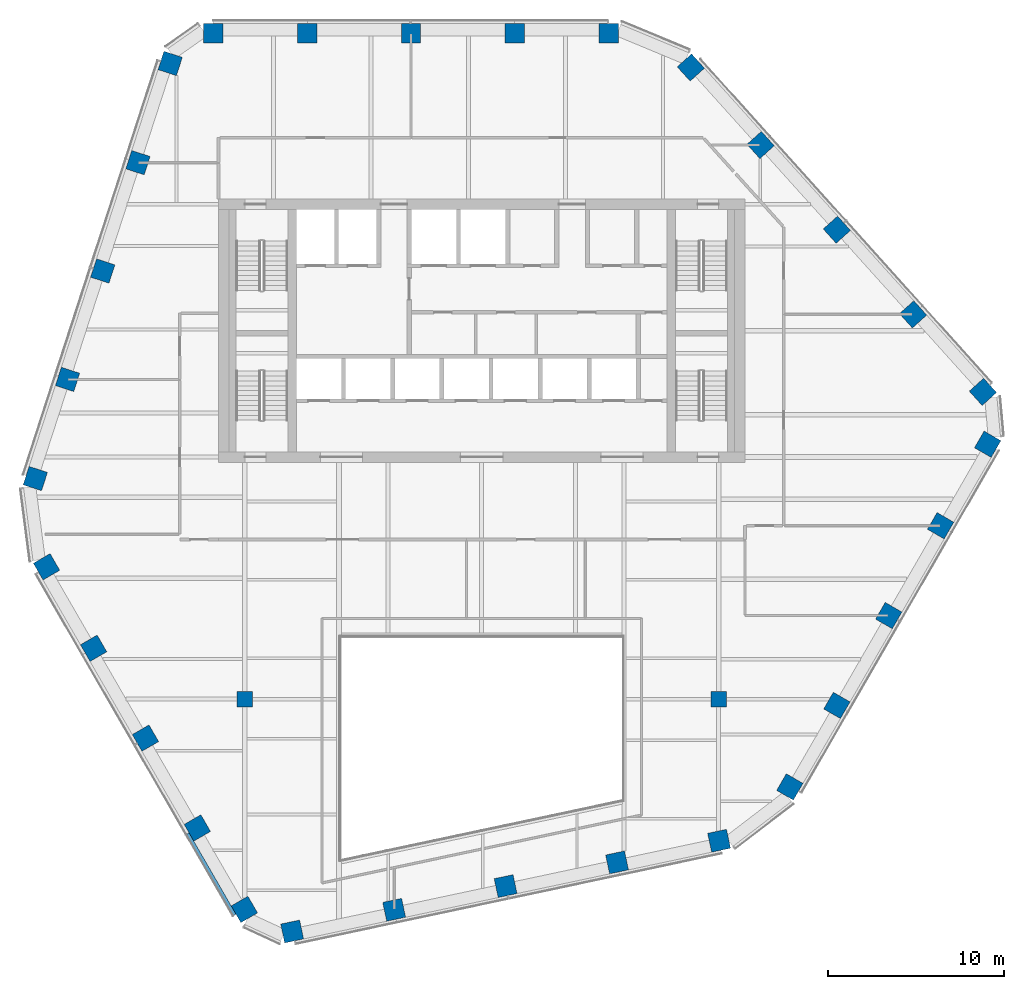
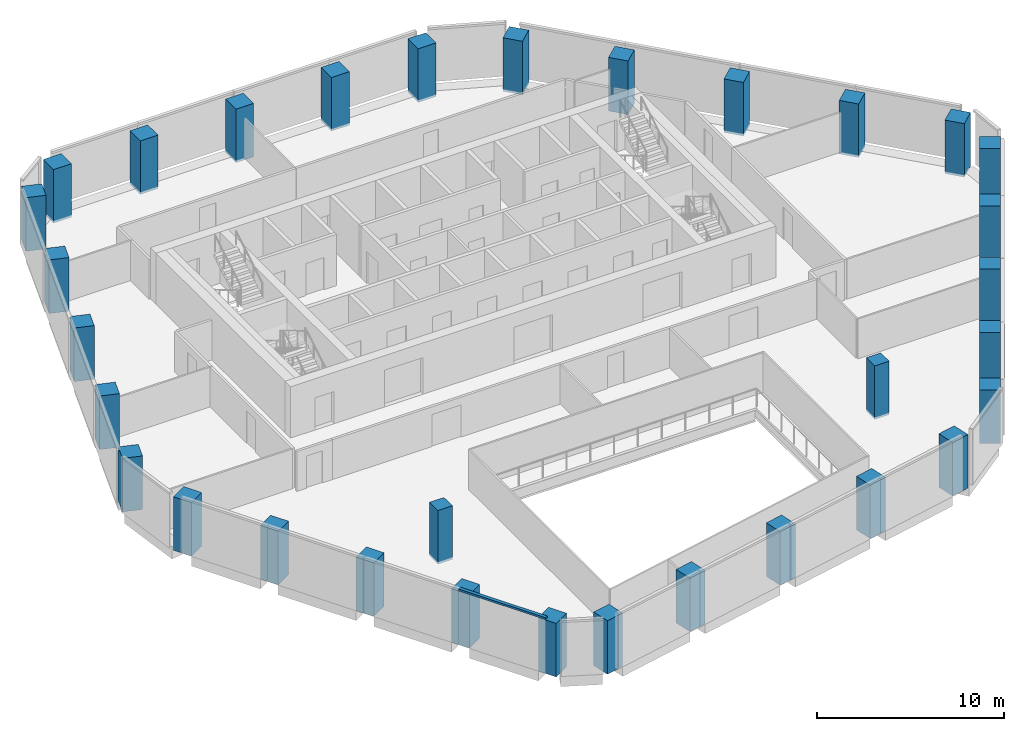
# One storey, part 1 of 16: 32 columns, 1 member, 1 element without a shape of its own.
"""IFC4 building model written with IfcOpenShell, lengths in metres."""

from ifc_helpers import new_model, si_unit, direction, frame, origin, origin_2d, place, context, subcontext, project, spatial, rectangle, extrude, material, layer, layer_set, material_profile, profile_set, type_object, element, aggregate, save


model = new_model("IFC4")

# Units and contexts
model_context = context("Model", 3, precision=1e-05, world=origin(), true_north=direction((0.0, 1.0)))
body_context = subcontext(model_context, "Body", "Model", "MODEL_VIEW")
ifc_project = project(units=[si_unit("LENGTHUNIT", "METRE"), si_unit("AREAUNIT", "SQUARE_METRE"), si_unit("VOLUMEUNIT", "CUBIC_METRE"), si_unit("PLANEANGLEUNIT", "RADIAN"), si_unit("MASSUNIT", "GRAM", prefix="KILO")], contexts=[model_context])

# Site, building, storey
site_placement = place(None, origin())
site = spatial("IfcSite", under=ifc_project, at=site_placement, CompositionType="ELEMENT")
building_placement = place(site_placement, origin())
building = spatial("IfcBuilding", under=site, at=building_placement, Name="Isthmus Gate Tower", CompositionType="ELEMENT")
storey_placement = place(building_placement, frame((0.0, 0.0, 252.800048828125)))
storey = spatial("IfcBuildingStorey", under=building, at=storey_placement, Name="L64", CompositionType="ELEMENT", Elevation=252.800048828125)

# Columns
ifc_material_1 = material(Name="Concrete f'c 50 MPa", Category="concrete")
ifc_material_profile_1 = material_profile(ifc_material_1, rectangle(XDim=0.89990234375, YDim=0.89990234375, at=origin_2d()), Name="RC 900X900")
ifc_profile_set_1 = profile_set([ifc_material_profile_1], Name="Concrete f'c 50 MPa")
column_type_1 = type_object("IfcColumnType", Name="RC INTERIOR COLUMN 900 X 900", PredefinedType="COLUMN", material=ifc_profile_set_1)
for number, where, z_axis, x_axis, name in (
    (1, (-13.5, -13.5, -0.150146484375), (0.0, 0.0, 1.0), (1.0, 0.0, 0.0), "str-icol-L64-ICB2"),
    (2, (13.5, -13.5, -0.150146484375), (0.0, 0.0, 1.0), (1.0, 0.0, 0.0), "str-icol-L64-ICD2"),
):
    element("IfcColumn", number, at=place(storey_placement, frame(where, z_axis=z_axis, x_axis=x_axis)), inside=storey, type_object=column_type_1, Name=name, PredefinedType="COLUMN", context=body_context, shape_type="SweptSolid", body=[
        extrude(rectangle(XDim=0.89990234375, YDim=0.89990234375, at=origin_2d()), origin(), (0.0, 0.0, 1.0), 3.5),
    ])
ifc_material_2 = material(Name="Concrete f'c 50 MPa", Category="concrete")
ifc_material_profile_2 = material_profile(ifc_material_2, rectangle(XDim=1.10009765625, YDim=1.10009765625, at=origin_2d()), Name="RC 1100X1100")
ifc_profile_set_2 = profile_set([ifc_material_profile_2], Name="Concrete f'c 50 MPa")
column_type_2 = type_object("IfcColumnType", Name="RC TUBE COLUMN 1100 X 1100", PredefinedType="COLUMN", material=ifc_profile_set_2)
for number, where, z_axis, x_axis, name in (
    (3, (7.2412109375, 24.449951171875, -0.150146484375), (0.0, 0.0, 1.0), (-1.0, 0.0, 0.0), "str-tcol-L64-T3N0"),
    (4, (1.880615234375, 24.449951171875, -0.150146484375), (0.0, 0.0, 1.0), (-1.0, 0.0, 0.0), "str-tcol-L64-T3N1"),
    (5, (-4.030029296875, 24.449951171875, -0.150146484375), (0.0, 0.0, 1.0), (-1.0, 0.0, 0.0), "str-tcol-L64-T3N2"),
    (6, (-9.940673828125, 24.449951171875, -0.150146484375), (0.0, 0.0, 1.0), (-1.0, 0.0, 0.0), "str-tcol-L64-T3N3"),
    (7, (-15.30126953125, 24.449951171875, -0.150146484375), (0.0, 0.0, 1.0), (-1.0, 0.0, 0.0), "str-tcol-L64-T3N4"),
    (8, (-17.7509765625, 22.721923828125, -0.150146484375), (0.0, 0.0, 1.0), (-0.309016994375, -0.951056516295, 0.0), "str-tcol-L64-T3NW0"),
    (9, (-19.587158203125, 17.07080078125, -0.150146484375), (0.0, 0.0, 1.0), (-0.309016994375, -0.951056516295, 0.0), "str-tcol-L64-T3NW1"),
    (10, (-21.59326171875, 10.896728515625, -0.150146484375), (0.0, 0.0, 1.0), (-0.309016994375, -0.951056516295, 0.0), "str-tcol-L64-T3NW2"),
    (11, (-23.599365234375, 4.72265625, -0.150146484375), (0.0, 0.0, 1.0), (-0.309016994375, -0.951056516295, 0.0), "str-tcol-L64-T3NW3"),
    (12, (-25.435546875, -0.928466796875, -0.150146484375), (0.0, 0.0, 1.0), (-0.309016994375, -0.951056516295, 0.0), "str-tcol-L64-T3NW4"),
    (13, (-24.794921875, -5.9541015625, -0.150146484375), (0.0, 0.0, 1.0), (0.5, -0.866025403784, 0.0), "str-tcol-L64-T3SW0"),
    (14, (-22.114501953125, -10.596435546875, -0.150146484375), (0.0, 0.0, 1.0), (0.5, -0.866025403784, 0.0), "str-tcol-L64-T3SW1"),
    (15, (-19.1591796875, -15.715087890625, -0.150146484375), (0.0, 0.0, 1.0), (0.5, -0.866025403784, 0.0), "str-tcol-L64-T3SW2"),
    (16, (-16.2041015625, -20.833984375, -0.150146484375), (0.0, 0.0, 1.0), (0.5, -0.866025403784, 0.0), "str-tcol-L64-T3SW3"),
    (17, (-13.523681640625, -25.476318359375, -0.150146484375), (0.0, 0.0, 1.0), (0.5, -0.866025403784, 0.0), "str-tcol-L64-T3SW4"),
    (18, (-10.80224609375, -26.73388671875, -0.150146484375), (0.0, 0.0, 1.0), (0.978147600734, 0.207911690818, 0.0), "str-tcol-L64-T3S0"),
    (19, (-4.990234375, -25.498291015625, -0.150146484375), (0.0, 0.0, 1.0), (0.978147600734, 0.207911690818, 0.0), "str-tcol-L64-T3S1"),
    (20, (1.35986328125, -24.148681640625, -0.150146484375), (0.0, 0.0, 1.0), (0.978147600734, 0.207911690818, 0.0), "str-tcol-L64-T3S2"),
    (21, (7.7099609375, -22.798828125, -0.150146484375), (0.0, 0.0, 1.0), (0.978147600734, 0.207911690818, 0.0), "str-tcol-L64-T3S3"),
    (22, (13.52197265625, -21.5634765625, -0.150146484375), (0.0, 0.0, 1.0), (0.978147600734, 0.207911690818, 0.0), "str-tcol-L64-T3S4"),
    (23, (17.5537109375, -18.495849609375, -0.150146484375), (0.0, 0.0, 1.0), (0.5, 0.866025403784, 0.0), "str-tcol-L64-T3SE0"),
    (24, (20.234130859375, -13.853515625, -0.150146484375), (0.0, 0.0, 1.0), (0.5, 0.866025403784, 0.0), "str-tcol-L64-T3SE1"),
    (25, (23.189453125, -8.73486328125, -0.150146484375), (0.0, 0.0, 1.0), (0.5, 0.866025403784, 0.0), "str-tcol-L64-T3SE2"),
    (26, (26.144775390625, -3.6162109375, -0.150146484375), (0.0, 0.0, 1.0), (0.5, 0.866025403784, 0.0), "str-tcol-L64-T3SE3"),
    (27, (28.824951171875, 1.0263671875, -0.150146484375), (0.0, 0.0, 1.0), (0.5, 0.866025403784, 0.0), "str-tcol-L64-T3SE4"),
    (28, (28.55322265625, 4.011962890625, -0.150146484375), (0.0, 0.0, 1.0), (-0.669130606359, 0.743144825477, 0.0), "str-tcol-L64-T3NE0"),
    (29, (24.577392578125, 8.427490234375, -0.150146484375), (0.0, 0.0, 1.0), (-0.669130606359, 0.743144825477, 0.0), "str-tcol-L64-T3NE1"),
    (30, (20.2333984375, 13.251953125, -0.150146484375), (0.0, 0.0, 1.0), (-0.669130606359, 0.743144825477, 0.0), "str-tcol-L64-T3NE2"),
    (31, (15.8896484375, 18.076416015625, -0.150146484375), (0.0, 0.0, 1.0), (-0.669130606359, 0.743144825477, 0.0), "str-tcol-L64-T3NE3"),
    (32, (11.91357421875, 22.4921875, -0.150146484375), (0.0, 0.0, 1.0), (-0.669130606359, 0.743144825477, 0.0), "str-tcol-L64-T3NE4"),
):
    element("IfcColumn", number, at=place(storey_placement, frame(where, z_axis=z_axis, x_axis=x_axis)), inside=storey, type_object=column_type_2, Name=name, PredefinedType="COLUMN", context=body_context, shape_type="SweptSolid", body=[
        extrude(rectangle(XDim=1.10009765625, YDim=1.10009765625, at=origin_2d()), origin(), (0.0, 0.0, 1.0), 3.5),
    ])

# Curtain wall, member
ifc_material_3 = material(Name="Aluminium, pale champagne anodised", Category="aluminium")
ifc_layer = layer(ifc_material_3, 0.199951171875)
ifc_layer_set = layer_set([ifc_layer], Name="CW-1 UNITISED CURTAIN WALL 200 DEEP")
curtain_wall_type = type_object("IfcCurtainWallType", Name="CW-1 UNITISED CURTAIN WALL 200 DEEP", PredefinedType="NOTDEFINED", material=ifc_layer_set)
curtain_wall_placement = place(storey_placement, origin())
curtain_wall = element("IfcCurtainWall", 33, at=curtain_wall_placement, inside=storey, type_object=curtain_wall_type, Name="CW-1 SW L64", PredefinedType="NOTDEFINED")
ifc_material_4 = material(Name="Aluminium, pale champagne anodised", Category="aluminium")
ifc_material_profile_3 = material_profile(ifc_material_4, rectangle(XDim=0.199951171875, YDim=0.1298828125, at=origin_2d()), Name="200x130")
ifc_profile_set_3 = profile_set([ifc_material_profile_3], Name="Aluminium, pale champagne anodised")
member_type = type_object("IfcMemberType", Name="CW-1 TRANSOM 200 X 130", PredefinedType="USERDEFINED", material=ifc_profile_set_3)
member_placement = place(storey_placement, frame((-16.766845703125, -21.158935546875, 3.5849609375), z_axis=(0.499989227444, -0.866031623233, 0.0), x_axis=(0.866031623233, 0.499989227444, 0.0)))
member = element("IfcMember", 34, at=member_placement, type_object=member_type, Name="CW-1 transom", ObjectType="TRANSOM", PredefinedType="USERDEFINED", context=body_context, shape_type="SweptSolid", body=[
    extrude(rectangle(XDim=0.199951171875, YDim=0.1298828125, at=origin_2d()), origin(), (0.0, 0.0, 1.0), 5.3603515625),
])
aggregate(curtain_wall, [member])

save(model, "model.ifc")
